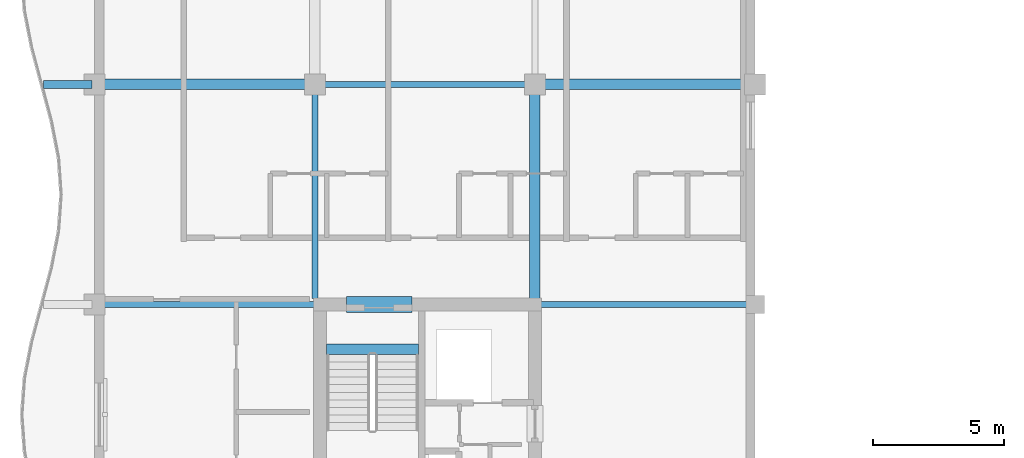
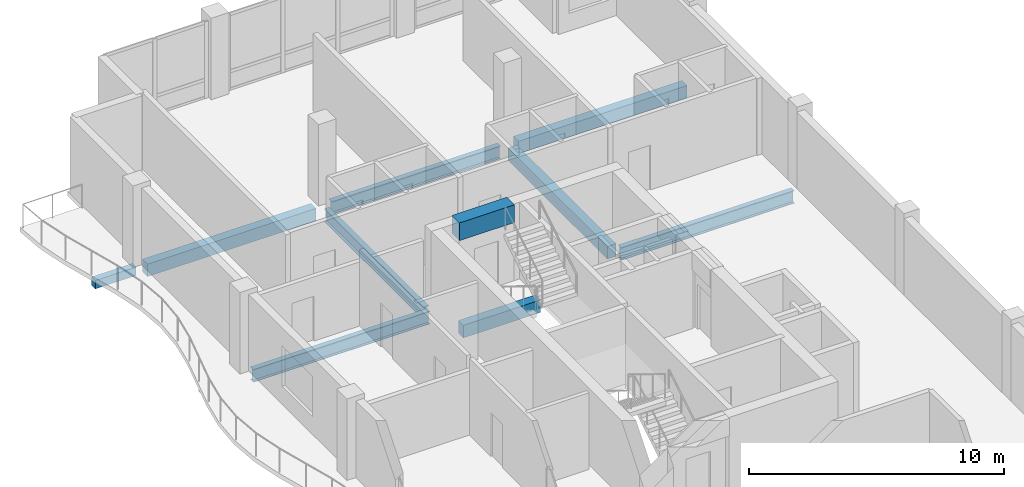
# One storey, part 2 of 17: 10 beams.
"""IFC4 building model written with IfcOpenShell, lengths in metres."""

from ifc_helpers import new_model, si_unit, direction, frame, origin, origin_2d, place, context, subcontext, project, spatial, rectangle, i_section, extrude, material, material_profile, profile_set, type_object, element, save


model = new_model("IFC4")

# Units and contexts
model_context = context("Model", 3, precision=1e-05, world=origin(), true_north=direction((0.0, 1.0)))
body_context = subcontext(model_context, "Body", "Model", "MODEL_VIEW")
ifc_project = project(units=[si_unit("LENGTHUNIT", "METRE"), si_unit("AREAUNIT", "SQUARE_METRE"), si_unit("VOLUMEUNIT", "CUBIC_METRE"), si_unit("PLANEANGLEUNIT", "RADIAN"), si_unit("MASSUNIT", "GRAM", prefix="KILO")], contexts=[model_context])

# Site, building, storey
site_placement = place(None, origin())
site = spatial("IfcSite", under=ifc_project, at=site_placement, CompositionType="ELEMENT")
building_placement = place(site_placement, origin())
building = spatial("IfcBuilding", under=site, at=building_placement, Name="Koriwani Terraces Tower", CompositionType="ELEMENT")
storey_placement = place(building_placement, frame((0.0, 0.0, 347.60009765625)))
storey = spatial("IfcBuildingStorey", under=building, at=storey_placement, Name="L86", CompositionType="ELEMENT", Elevation=347.60009765625)

# Beams
ifc_material_1 = material(Name="Concrete C40/50", Category="concrete")
ifc_material_profile_1 = material_profile(ifc_material_1, rectangle(XDim=0.300048828125, YDim=0.39990234375, at=origin_2d()), Name="Concrete C40/50", Category="LoadBearing")
ifc_profile_set_1 = profile_set([ifc_material_profile_1], Name="Concrete C40/50")
beam_type_1 = type_object("IfcBeamType", Name="BEAM_RC_BALCONY_RIB_300X400", PredefinedType="JOIST", material=ifc_profile_set_1)
beam_1_placement = place(storey_placement, frame((6.449951171875, 67.199951171875, -0.43017578125), z_axis=(1.0, 0.0, 0.0), x_axis=(0.0, 1.0, 0.0)))
element("IfcBeam", 1, at=beam_1_placement, inside=storey, type_object=beam_type_1, Name="L86 Balcony Bracket Rib W-4", PredefinedType="JOIST", context=body_context, shape_type="SweptSolid", body=[
    extrude(rectangle(XDim=0.300048828125, YDim=0.39990234375, at=origin_2d()), origin(), (0.0, 0.0, 1.0), 1.85009765625),
])
ifc_material_2 = material(Name="Concrete C50/60", Category="concrete")
ifc_material_profile_2 = material_profile(ifc_material_2, rectangle(XDim=0.60009765625, YDim=0.85009765625, at=origin_2d()), Name="Concrete C50/60", Category="LoadBearing")
ifc_profile_set_2 = profile_set([ifc_material_profile_2], Name="Concrete C50/60")
beam_type_2 = type_object("IfcBeamType", Name="BEAM_RC_COUPLING_600X850", PredefinedType="LINTEL", material=ifc_profile_set_2)
beam_2_placement = place(storey_placement, frame((18.0, 58.800048828125, 3.244873046875), z_axis=(1.0, 0.0, 0.0), x_axis=(0.0, 1.0, 0.0)))
element("IfcBeam", 2, at=beam_2_placement, inside=storey, type_object=beam_type_2, Name="L86 Core Coupling Lintel Beam WN", PredefinedType="LINTEL", context=body_context, shape_type="SweptSolid", body=[
    extrude(rectangle(XDim=0.60009765625, YDim=0.85009765625, at=origin_2d()), origin(), (0.0, 0.0, 1.0), 2.5),
])
ifc_material_profile_3 = material_profile(ifc_material_1, rectangle(XDim=0.39990234375, YDim=0.60009765625, at=origin_2d()), Name="Concrete C40/50", Category="LoadBearing")
ifc_profile_set_3 = profile_set([ifc_material_profile_3], Name="Concrete C40/50")
beam_type_3 = type_object("IfcBeamType", Name="BEAM_RC_GRID_400X600", PredefinedType="BEAM", material=ifc_profile_set_3)
beam_3_placement = place(storey_placement, frame((17.25, 57.094970703125, -0.300048828125), z_axis=(1.0, 0.0, 0.0), x_axis=(0.0, 1.0, 0.0)))
element("IfcBeam", 3, at=beam_3_placement, inside=storey, type_object=beam_type_3, Name="L86 Stairwell Header Trimmer Beam ST-W2", PredefinedType="BEAM", context=body_context, shape_type="SweptSolid", body=[
    extrude(rectangle(XDim=0.39990234375, YDim=0.60009765625, at=origin_2d()), origin(), (0.0, 0.0, 1.0), 3.5),
])
for number, where, z_axis, x_axis, name in (
    (4, (8.780029296875, 67.199951171875, -0.530029296875), (1.0, 0.0, 0.0), (0.0, 1.0, 0.0), "L86 Grid Beam I (8.4-16.8m)"),
    (5, (25.580078125, 67.199951171875, -0.530029296875), (1.0, 0.0, 0.0), (0.0, 1.0, 0.0), "L86 Grid Beam I (25.2-33.6m)"),
):
    element("IfcBeam", number, at=place(storey_placement, frame(where, z_axis=z_axis, x_axis=x_axis)), inside=storey, type_object=beam_type_3, Name=name, PredefinedType="BEAM", context=body_context, shape_type="SweptSolid", body=[
        extrude(rectangle(XDim=0.39990234375, YDim=0.60009765625, at=origin_2d()), origin(), (0.0, 0.0, 1.0), 7.639892578125),
    ])
beam_4_placement = place(storey_placement, frame((25.199951171875, 59.030029296875, -0.530029296875), z_axis=(0.0, 1.0, 0.0), x_axis=(-1.0, 0.0, 0.0)))
element("IfcBeam", 6, at=beam_4_placement, inside=storey, type_object=beam_type_3, Name="L86 Grid Beam 4 (58.8-67.2m)", PredefinedType="BEAM", context=body_context, shape_type="SweptSolid", body=[
    extrude(rectangle(XDim=0.39990234375, YDim=0.60009765625, at=origin_2d()), origin(), (0.0, 0.0, 1.0), 7.7900390625),
])
ifc_material_3 = material(Name="Steel ASTM A572 Grade 50", Category="steel")
ifc_material_profile_4 = material_profile(ifc_material_3, i_section(OverallWidth=0.23095703125, OverallDepth=0.616943359375, WebThickness=0.015380859375, FlangeThickness=0.0244140625, at=origin_2d()), Name="Steel ASTM A572 Grade 50", Category="LoadBearing")
ifc_profile_set_4 = profile_set([ifc_material_profile_4], Name="Steel ASTM A572 Grade 50")
beam_type_4 = type_object("IfcBeamType", Name="STEEL_BEAM_W610X195", PredefinedType="BEAM", material=ifc_profile_set_4)
beam_5_placement = place(storey_placement, frame((8.780029296875, 58.800048828125, -0.53857421875), z_axis=(1.0, 0.0, 0.0), x_axis=(0.0, 1.0, 0.0)))
element("IfcBeam", 7, at=beam_5_placement, inside=storey, type_object=beam_type_4, Name="L86 Grid Beam H (8.4-16.8m)", PredefinedType="BEAM", context=body_context, shape_type="SweptSolid", body=[
    extrude(i_section(OverallWidth=0.23095703125, OverallDepth=0.616943359375, WebThickness=0.015380859375, FlangeThickness=0.0244140625, at=origin_2d()), origin(), (0.0, 0.0, 1.0), 7.989990234375),
])
beam_6_placement = place(storey_placement, frame((25.429931640625, 58.800048828125, -0.53857421875), z_axis=(1.0, 0.0, 0.0), x_axis=(0.0, 1.0, 0.0)))
element("IfcBeam", 8, at=beam_6_placement, inside=storey, type_object=beam_type_4, Name="L86 Grid Beam H (25.2-33.6m)", PredefinedType="BEAM", context=body_context, shape_type="SweptSolid", body=[
    extrude(i_section(OverallWidth=0.23095703125, OverallDepth=0.616943359375, WebThickness=0.015380859375, FlangeThickness=0.0244140625, at=origin_2d()), origin(), (0.0, 0.0, 1.0), 7.840087890625),
])
beam_7_placement = place(storey_placement, frame((17.179931640625, 67.199951171875, -0.53857421875), z_axis=(1.0, 0.0, 0.0), x_axis=(0.0, 1.0, 0.0)))
element("IfcBeam", 9, at=beam_7_placement, inside=storey, type_object=beam_type_4, Name="L86 Grid Beam I (16.8-25.2m)", PredefinedType="BEAM", context=body_context, shape_type="SweptSolid", body=[
    extrude(i_section(OverallWidth=0.23095703125, OverallDepth=0.616943359375, WebThickness=0.015380859375, FlangeThickness=0.0244140625, at=origin_2d()), origin(), (0.0, 0.0, 1.0), 7.64013671875),
])
beam_8_placement = place(storey_placement, frame((16.800048828125, 59.030029296875, -0.53857421875), z_axis=(0.0, 1.0, 0.0), x_axis=(-1.0, 0.0, 0.0)))
element("IfcBeam", 10, at=beam_8_placement, inside=storey, type_object=beam_type_4, Name="L86 Grid Beam 3 (58.8-67.2m)", PredefinedType="BEAM", context=body_context, shape_type="SweptSolid", body=[
    extrude(i_section(OverallWidth=0.23095703125, OverallDepth=0.616943359375, WebThickness=0.015380859375, FlangeThickness=0.0244140625, at=origin_2d()), origin(), (0.0, 0.0, 1.0), 7.7900390625),
])

save(model, "model.ifc")
